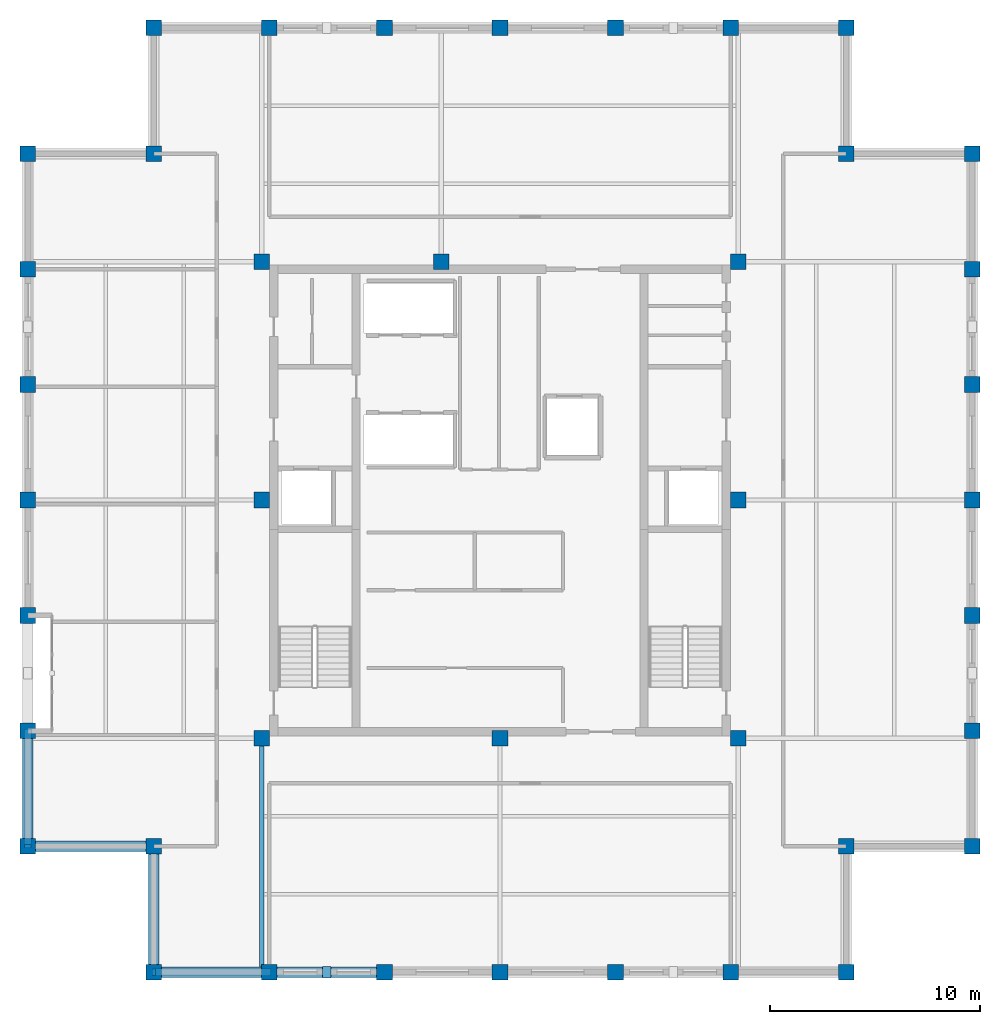
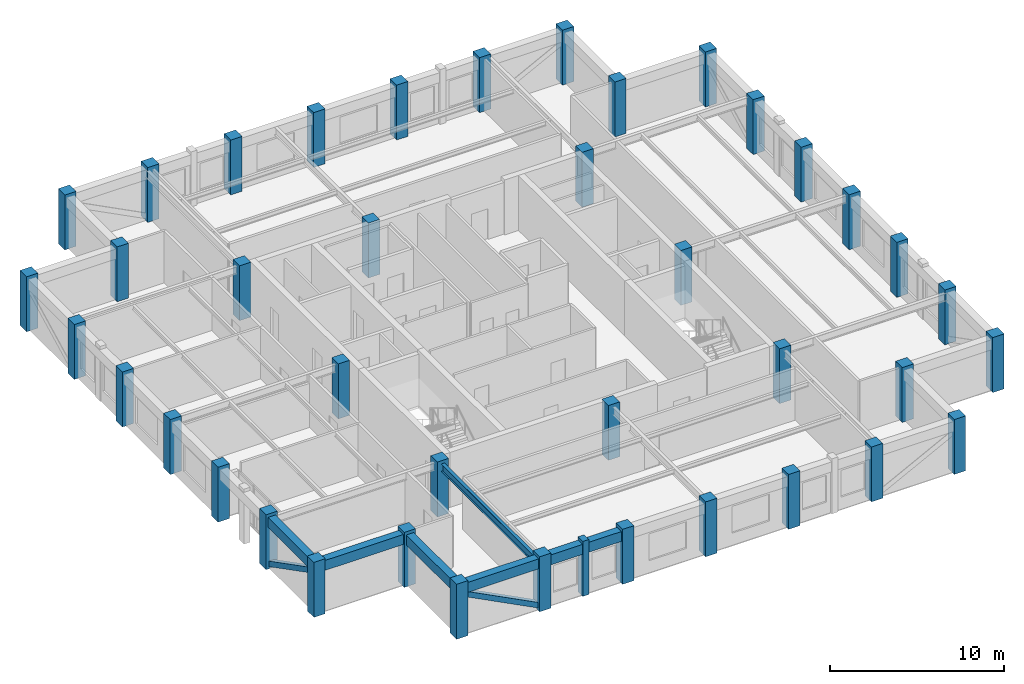
# One storey, part 1 of 10: 40 columns, 6 beams, 3 members.
"""IFC4 building model written with IfcOpenShell, lengths in metres."""

import ifcopenshell
import ifcopenshell.guid

model = None  # the IFC model being written
_history = None  # IfcOwnerHistory: only IFC2X3 demands one
_inside = {}  # id of a spatial element -> (the spatial element, [elements in it])
_under = {}  # id of a project, library or spatial element -> (it, [spatial elements below it])
_declared = {}  # id of a project -> (the project, [libraries it declares])
_typed = {}  # id of a type object -> (the type object, [elements of that type])
_made_of = {}  # id of a material, layer set ... -> (it, [elements and type objects made of it])


def new_model(schema):
    """Start an empty IFC model of exactly this schema.

    Asked for "IFC4X3", IfcOpenShell would pick the latest addendum, in which some entities
    have other attributes; the version numbers below select the first issue.
    IFC2X3 requires an IfcOwnerHistory on every rooted entity: one is made here for all.
    """
    global model, _history
    if schema == "IFC4X3":
        model = ifcopenshell.file(schema_version=(4, 3, 0, 0))
    else:
        model = ifcopenshell.file(schema=schema)
    _inside.clear()
    _under.clear()
    _declared.clear()
    _typed.clear()
    _made_of.clear()
    _history = None
    if model.schema == "IFC2X3":
        org = make("IfcOrganization", Name="unknown")
        user = make(
            "IfcPersonAndOrganization",
            ThePerson=make("IfcPerson", FamilyName="unknown"),
            TheOrganization=org,
        )
        app = make(
            "IfcApplication",
            ApplicationDeveloper=org,
            Version="unknown",
            ApplicationFullName="unknown",
            ApplicationIdentifier="unknown",
        )
        _history = make(
            "IfcOwnerHistory",
            OwningUser=user,
            OwningApplication=app,
            ChangeAction="ADDED",
            CreationDate=0,
        )
    return model


def make(cls, **values):
    """One entity of the class cls with the attributes given. An attribute that is None is left unset."""
    return model.create_entity(
        cls, **{name: value for name, value in values.items() if value is not None}
    )


def rooted(cls, **values):
    """An entity with a GlobalId (a new one), such as an element, a storey or a relation."""
    return make(cls, GlobalId=ifcopenshell.guid.new(), OwnerHistory=_history, **values)


def si_unit(unit_type, name, prefix=None):
    """IfcSIUnit, for example si_unit("LENGTHUNIT", "METRE", prefix="MILLI")."""
    return make("IfcSIUnit", UnitType=unit_type, Prefix=prefix, Name=name)


def assignment(units):
    """IfcUnitAssignment: the units of a project."""
    return None if units is None else make("IfcUnitAssignment", Units=units)


def point(xyz):
    """IfcCartesianPoint."""
    return None if xyz is None else make("IfcCartesianPoint", Coordinates=xyz)


def direction(xyz):
    """IfcDirection."""
    return None if xyz is None else make("IfcDirection", DirectionRatios=xyz)


def frame(location, z_axis=None, x_axis=None):
    """IfcAxis2Placement3D, a coordinate frame: its origin and axes. An axis left out is left unset."""
    return make(
        "IfcAxis2Placement3D",
        Location=point(location),
        Axis=direction(z_axis),
        RefDirection=direction(x_axis),
    )


def frame_2d(location, x_axis=None):
    """IfcAxis2Placement2D, a coordinate frame in the plane: its origin and x axis."""
    return make(
        "IfcAxis2Placement2D", Location=point(location), RefDirection=direction(x_axis)
    )


def origin():
    """The frame at (0, 0, 0) with its axes left unset."""
    return frame((0.0, 0.0, 0.0))


def origin_2d():
    """The frame at (0, 0) in the plane with its x axis left unset."""
    return frame_2d((0.0, 0.0))


def place(relative_to, where):
    """IfcLocalPlacement: puts the frame where relative to a parent placement (None: the world)."""
    return make(
        "IfcLocalPlacement", PlacementRelTo=relative_to, RelativePlacement=where
    )


def context(
    kind, dimensions, precision=None, world=None, true_north=None, identifier=None
):
    """IfcGeometricRepresentationContext, for example the 3D "Model" context."""
    return make(
        "IfcGeometricRepresentationContext",
        ContextIdentifier=identifier,
        ContextType=kind,
        CoordinateSpaceDimension=dimensions,
        Precision=precision,
        WorldCoordinateSystem=world,
        TrueNorth=true_north,
    )


def subcontext(parent, identifier, kind, view, scale=None):
    """IfcGeometricRepresentationSubContext, for example "Body" below "Model"."""
    return make(
        "IfcGeometricRepresentationSubContext",
        ContextIdentifier=identifier,
        ContextType=kind,
        ParentContext=parent,
        TargetScale=scale,
        TargetView=view,
    )


def project(units=None, contexts=None):
    """IfcProject with its units and contexts."""
    return rooted(
        "IfcProject",
        Name="project",
        RepresentationContexts=contexts,
        UnitsInContext=assignment(units),
    )


def spatial(cls, under=None, at=None, **own):
    """A site, building, storey or space (cls), placed at a placement, below another one or the project."""
    s = rooted(cls, ObjectPlacement=at, **own)
    if under is not None:
        _under.setdefault(under.id(), (under, []))[1].append(s)
    return s


def profile(cls, at=None, kind="AREA", **sizes):
    """A parametric profile (cls). Its sizes go by their IFC names, for example OverallWidth=200.0."""
    return make(cls, ProfileType=kind, Position=at, **sizes)


def rectangle(**sizes):
    """IfcRectangleProfileDef."""
    return profile("IfcRectangleProfileDef", **sizes)


def hollow_rectangle(**sizes):
    """IfcRectangleHollowProfileDef."""
    return profile("IfcRectangleHollowProfileDef", **sizes)


def i_section(**sizes):
    """IfcIShapeProfileDef."""
    return profile("IfcIShapeProfileDef", **sizes)


def extrude(swept, where, along, depth):
    """IfcExtrudedAreaSolid: the profile swept, set in the frame where, extruded along a direction by depth."""
    return make(
        "IfcExtrudedAreaSolid",
        SweptArea=swept,
        Position=where,
        ExtrudedDirection=direction(along),
        Depth=depth,
    )


def shape(context_of_items, identifier, shape_type, items):
    """IfcShapeRepresentation: the items that make up one representation, for example the "Body"."""
    return make(
        "IfcShapeRepresentation",
        ContextOfItems=context_of_items,
        RepresentationIdentifier=identifier,
        RepresentationType=shape_type,
        Items=items,
    )


def material(Name=None, Category=None):
    """IfcMaterial."""
    return make("IfcMaterial", Name=Name, Category=Category)


def material_profile(
    of_material, cross_section, Name=None, Category=None, Priority=None
):
    """IfcMaterialProfile: a cross section and its material."""
    return make(
        "IfcMaterialProfile",
        Name=Name,
        Material=of_material,
        Profile=cross_section,
        Priority=Priority,
        Category=Category,
    )


def profile_set(profiles, Name=None, composite=None):
    """IfcMaterialProfileSet."""
    return make(
        "IfcMaterialProfileSet",
        Name=Name,
        MaterialProfiles=profiles,
        CompositeProfile=composite,
    )


def made_of(thing, what):
    """Note that an element or type object is made of a material, layer set ...; save() writes the relation."""
    if what is not None:
        _made_of.setdefault(what.id(), (what, []))[1].append(thing)
    return thing


def type_object(cls, material=None, **own):
    """A type object (cls), such as IfcWallType, which elements share."""
    return made_of(rooted(cls, **own), material)


def element(
    cls,
    number,
    at=None,
    inside=None,
    cuts=None,
    type_object=None,
    material=None,
    context=None,
    identifier="Body",
    shape_type=None,
    held_by="IfcProductDefinitionShape",
    body=None,
    shapes=None,
    **own,
):
    """One element of the class cls, such as IfcWall. Its Tag is "e" and its number.

    at: its placement. inside: the storey or other place that contains it. cuts: it is an
    opening in that element (IfcRelVoidsElement). A single representation is given by context,
    identifier, shape_type and body (its items); several are given by shapes. held_by: the class
    of the entity that holds the representations. save() writes the other relations.
    """
    e = rooted(cls, Tag="e%d" % number, ObjectPlacement=at, **own)
    if body is not None:
        shapes = [shape(context, identifier, shape_type, body)]
    if shapes is not None:
        e.Representation = make(held_by, Representations=shapes)
    if inside is not None:
        _inside.setdefault(inside.id(), (inside, []))[1].append(e)
    if cuts is not None:
        rooted(
            "IfcRelVoidsElement", RelatingBuildingElement=cuts, RelatedOpeningElement=e
        )
    if type_object is not None:
        _typed.setdefault(type_object.id(), (type_object, []))[1].append(e)
    return made_of(e, material)


def aggregate(whole, parts):
    """IfcRelAggregates: a whole, such as a stair, and the parts it consists of."""
    return rooted("IfcRelAggregates", RelatingObject=whole, RelatedObjects=parts)


def save(model, path):
    """Write the relations noted so far, then the file.

    IfcRelAggregates (storeys below a building ...), IfcRelContainedInSpatialStructure (elements
    in a storey), IfcRelDefinesByType, IfcRelAssociatesMaterial and IfcRelDeclares: one each for
    every whole, place, type object, material and project.
    """
    for whole, parts in _under.values():
        aggregate(whole, parts)
    for where, things in _inside.values():
        rooted(
            "IfcRelContainedInSpatialStructure",
            RelatedElements=things,
            RelatingStructure=where,
        )
    for kind, things in _typed.values():
        rooted("IfcRelDefinesByType", RelatedObjects=things, RelatingType=kind)
    for what, things in _made_of.values():
        rooted("IfcRelAssociatesMaterial", RelatedObjects=things, RelatingMaterial=what)
    for by, libraries in _declared.values():
        rooted("IfcRelDeclares", RelatingContext=by, RelatedDefinitions=libraries)
    model.write(path)


model = new_model("IFC4")

# Units and contexts
model_context = context("Model", 3, precision=1e-05, world=origin(), true_north=direction((0.0, 1.0)))
body_context = subcontext(model_context, "Body", "Model", "MODEL_VIEW")
ifc_project = project(units=[si_unit("LENGTHUNIT", "METRE"), si_unit("AREAUNIT", "SQUARE_METRE"), si_unit("VOLUMEUNIT", "CUBIC_METRE"), si_unit("PLANEANGLEUNIT", "RADIAN"), si_unit("MASSUNIT", "GRAM", prefix="KILO")], contexts=[model_context])

# Site, building, storey
site_placement = place(None, origin())
site = spatial("IfcSite", under=ifc_project, at=site_placement, CompositionType="ELEMENT")
building_placement = place(site_placement, origin())
building = spatial("IfcBuilding", under=site, at=building_placement, Name="Nhamokura Convention Tower", CompositionType="ELEMENT")
storey_placement = place(building_placement, frame((0.0, 0.0, 304.5)))
storey = spatial("IfcBuildingStorey", under=building, at=storey_placement, Name="L75", CompositionType="ELEMENT", Elevation=304.5)

# Columns
ifc_material_1 = material(Name="Concrete C50/60", Category="concrete")
ifc_material_profile_1 = material_profile(ifc_material_1, rectangle(XDim=0.75, YDim=0.75, at=origin_2d()))
ifc_profile_set_1 = profile_set([ifc_material_profile_1], Name="Concrete C50/60")
column_type = type_object("IfcColumnType", Name="TubeColumn_Z4_750", PredefinedType="COLUMN", material=ifc_profile_set_1)
for number, where, z_axis, x_axis, name in (
    (1, (20.64990234375, 20.64990234375, 0.0), (0.0, 0.0, 1.0), (1.0, 0.0, 0.0), "L75 Core Column CC-SW"),
    (2, (32.0, 20.64990234375, 0.0), (0.0, 0.0, 1.0), (1.0, 0.0, 0.0), "L75 Core Column CC-S"),
    (3, (43.35009765625, 20.64990234375, 0.0), (0.0, 0.0, 1.0), (1.0, 0.0, 0.0), "L75 Core Column CC-SE"),
    (4, (43.35009765625, 32.0, 0.0), (0.0, 0.0, 1.0), (1.0, 0.0, 0.0), "L75 Core Column CC-E"),
    (5, (43.35009765625, 43.35009765625, 0.0), (0.0, 0.0, 1.0), (1.0, 0.0, 0.0), "L75 Core Column CC-NE"),
    (6, (29.199951171875, 43.35009765625, 0.0), (0.0, 0.0, 1.0), (1.0, 0.0, 0.0), "L75 Core Column CC-N"),
    (7, (20.64990234375, 43.35009765625, 0.0), (0.0, 0.0, 1.0), (1.0, 0.0, 0.0), "L75 Core Column CC-NW"),
    (8, (20.64990234375, 32.0, 0.0), (0.0, 0.0, 1.0), (1.0, 0.0, 0.0), "L75 Core Column CC-W"),
    (9, (15.5, 9.5, 0.0), (0.0, 0.0, 1.0), (1.0, 0.0, 0.0), "L75 Perimeter Tube Column SW1"),
    (10, (15.5, 15.5, 0.0), (0.0, 0.0, 1.0), (1.0, 0.0, 0.0), "L75 Perimeter Tube Column SW0"),
    (11, (9.5, 15.5, 0.0), (0.0, 0.0, 1.0), (1.0, 0.0, 0.0), "L75 Perimeter Tube Column SW2"),
    (12, (48.5, 9.5, 0.0), (0.0, 0.0, 1.0), (1.0, 0.0, 0.0), "L75 Perimeter Tube Column SE1"),
    (13, (48.5, 15.5, 0.0), (0.0, 0.0, 1.0), (1.0, 0.0, 0.0), "L75 Perimeter Tube Column SE0"),
    (14, (54.5, 15.5, 0.0), (0.0, 0.0, 1.0), (1.0, 0.0, 0.0), "L75 Perimeter Tube Column SE2"),
    (15, (54.5, 48.5, 0.0), (0.0, 0.0, 1.0), (1.0, 0.0, 0.0), "L75 Perimeter Tube Column NE1"),
    (16, (48.5, 48.5, 0.0), (0.0, 0.0, 1.0), (1.0, 0.0, 0.0), "L75 Perimeter Tube Column NE0"),
    (17, (48.5, 54.5, 0.0), (0.0, 0.0, 1.0), (1.0, 0.0, 0.0), "L75 Perimeter Tube Column NE2"),
    (18, (15.5, 54.5, 0.0), (0.0, 0.0, 1.0), (1.0, 0.0, 0.0), "L75 Perimeter Tube Column NW1"),
    (19, (15.5, 48.5, 0.0), (0.0, 0.0, 1.0), (1.0, 0.0, 0.0), "L75 Perimeter Tube Column NW0"),
    (20, (9.5, 48.5, 0.0), (0.0, 0.0, 1.0), (1.0, 0.0, 0.0), "L75 Perimeter Tube Column NW2"),
    (21, (21.0, 9.5, 0.0), (0.0, 0.0, 1.0), (1.0, 0.0, 0.0), "L75 Perimeter Tube Column S1"),
    (22, (21.0, 54.5, 0.0), (0.0, 0.0, 1.0), (1.0, 0.0, 0.0), "L75 Perimeter Tube Column N1"),
    (23, (9.5, 21.0, 0.0), (0.0, 0.0, 1.0), (1.0, 0.0, 0.0), "L75 Perimeter Tube Column W1"),
    (24, (54.5, 21.0, 0.0), (0.0, 0.0, 1.0), (1.0, 0.0, 0.0), "L75 Perimeter Tube Column E1"),
    (25, (26.5, 9.5, 0.0), (0.0, 0.0, 1.0), (1.0, 0.0, 0.0), "L75 Perimeter Tube Column S2"),
    (26, (26.5, 54.5, 0.0), (0.0, 0.0, 1.0), (1.0, 0.0, 0.0), "L75 Perimeter Tube Column N2"),
    (27, (9.5, 26.5, 0.0), (0.0, 0.0, 1.0), (1.0, 0.0, 0.0), "L75 Perimeter Tube Column W2"),
    (28, (54.5, 26.5, 0.0), (0.0, 0.0, 1.0), (1.0, 0.0, 0.0), "L75 Perimeter Tube Column E2"),
    (29, (32.0, 9.5, 0.0), (0.0, 0.0, 1.0), (1.0, 0.0, 0.0), "L75 Perimeter Tube Column S3"),
    (30, (32.0, 54.5, 0.0), (0.0, 0.0, 1.0), (1.0, 0.0, 0.0), "L75 Perimeter Tube Column N3"),
    (31, (9.5, 32.0, 0.0), (0.0, 0.0, 1.0), (1.0, 0.0, 0.0), "L75 Perimeter Tube Column W3"),
    (32, (54.5, 32.0, 0.0), (0.0, 0.0, 1.0), (1.0, 0.0, 0.0), "L75 Perimeter Tube Column E3"),
    (33, (37.5, 9.5, 0.0), (0.0, 0.0, 1.0), (1.0, 0.0, 0.0), "L75 Perimeter Tube Column S4"),
    (34, (37.5, 54.5, 0.0), (0.0, 0.0, 1.0), (1.0, 0.0, 0.0), "L75 Perimeter Tube Column N4"),
    (35, (9.5, 37.5, 0.0), (0.0, 0.0, 1.0), (1.0, 0.0, 0.0), "L75 Perimeter Tube Column W4"),
    (36, (54.5, 37.5, 0.0), (0.0, 0.0, 1.0), (1.0, 0.0, 0.0), "L75 Perimeter Tube Column E4"),
    (37, (43.0, 9.5, 0.0), (0.0, 0.0, 1.0), (1.0, 0.0, 0.0), "L75 Perimeter Tube Column S5"),
    (38, (43.0, 54.5, 0.0), (0.0, 0.0, 1.0), (1.0, 0.0, 0.0), "L75 Perimeter Tube Column N5"),
    (39, (9.5, 43.0, 0.0), (0.0, 0.0, 1.0), (1.0, 0.0, 0.0), "L75 Perimeter Tube Column W5"),
    (40, (54.5, 43.0, 0.0), (0.0, 0.0, 1.0), (1.0, 0.0, 0.0), "L75 Perimeter Tube Column E5"),
):
    element("IfcColumn", number, at=place(storey_placement, frame(where, z_axis=z_axis, x_axis=x_axis)), inside=storey, type_object=column_type, Name=name, PredefinedType="COLUMN", context=body_context, shape_type="SweptSolid", body=[
        extrude(rectangle(XDim=0.75, YDim=0.75, at=origin_2d()), origin(), (0.0, 0.0, 1.0), 3.85009765625),
    ])

# Member
ifc_material_2 = material(Name="Bronze-pigmented precast concrete C45/55", Category="concrete")
ifc_material_profile_2 = material_profile(ifc_material_2, rectangle(XDim=0.39990234375, YDim=0.550048828125, at=origin_2d()))
ifc_profile_set_2 = profile_set([ifc_material_profile_2], Name="Bronze-pigmented precast concrete C45/55")
member_type_1 = type_object("IfcMemberType", Name="BronzePilaster_550", PredefinedType="USERDEFINED", material=ifc_profile_set_2)
member_placement = place(storey_placement, frame((23.75, 9.5, 0.0), z_axis=(0.0, 0.0, 1.0), x_axis=(1.0, 0.0, 0.0)))
element("IfcMember", 41, at=member_placement, inside=storey, type_object=member_type_1, Name="L75 Engaged Frame Pilaster SOUTH 1", ObjectType="PILASTER_TRIM", PredefinedType="USERDEFINED", context=body_context, shape_type="SweptSolid", body=[
    extrude(rectangle(XDim=0.39990234375, YDim=0.550048828125, at=origin_2d()), origin(), (0.0, 0.0, 1.0), 3.85009765625),
])

# Beam
ifc_material_3 = material(Name="Steel ASTM A992 Gr 50", Category="steel")
ifc_material_profile_3 = material_profile(ifc_material_3, i_section(OverallWidth=0.208984375, OverallDepth=0.532958984375, WebThickness=0.01025390625, FlangeThickness=0.015625, at=origin_2d()))
ifc_profile_set_3 = profile_set([ifc_material_profile_3], Name="Steel ASTM A992 Gr 50")
beam_type_1 = type_object("IfcBeamType", Name="PrimaryGirder_W530X92", PredefinedType="BEAM", material=ifc_profile_set_3)
beam_placement = place(storey_placement, frame((20.64990234375, 9.5, 3.363525390625), z_axis=(0.0, 1.0, 0.0), x_axis=(-1.0, 0.0, 0.0)))
element("IfcBeam", 42, at=beam_placement, inside=storey, type_object=beam_type_1, Name="L75 Primary Floor Girder PG-S1", PredefinedType="BEAM", context=body_context, shape_type="SweptSolid", body=[
    extrude(i_section(OverallWidth=0.208984375, OverallDepth=0.532958984375, WebThickness=0.01025390625, FlangeThickness=0.015625, at=origin_2d()), origin(), (0.0, 0.0, 1.0), 11.14990234375),
])

# Members
ifc_material_4 = material(Name="Steel ASTM A572 Gr 50", Category="steel")
ifc_material_profile_4 = material_profile(ifc_material_4, hollow_rectangle(XDim=0.35009765625, YDim=0.35009765625, WallThickness=0.01611328125, at=origin_2d()))
ifc_profile_set_4 = profile_set([ifc_material_profile_4], Name="Steel ASTM A572 Gr 50")
member_type_2 = type_object("IfcMemberType", Name="TubeBrace_HSS350", PredefinedType="BRACE", material=ifc_profile_set_4)
for number, where, z_axis, x_axis, name in (
    (43, (21.0, 9.5, 0.14990234375), (-0.889188710546, 0.0, 0.457540639766), (0.0, -1.0, 0.0), "L75 Perimeter Tube Brace SOUTH Bay 0"),
    (44, (9.5, 21.0, 0.14990234375), (0.0, -0.889188710546, 0.457540639766), (1.0, 0.0, 0.0), "L75 Perimeter Tube Brace WEST Bay 0"),
):
    element("IfcMember", number, at=place(storey_placement, frame(where, z_axis=z_axis, x_axis=x_axis)), inside=storey, type_object=member_type_2, Name=name, PredefinedType="BRACE", context=body_context, shape_type="SweptSolid", body=[
        extrude(hollow_rectangle(XDim=0.35009765625, YDim=0.35009765625, WallThickness=0.01611328125, at=origin_2d()), origin(), (0.0, 0.0, 1.0), 6.185302734375),
    ])

# Beams
ifc_material_5 = material(Name="Concrete C50/60", Category="concrete")
ifc_material_profile_5 = material_profile(ifc_material_5, rectangle(XDim=0.5, YDim=0.699951171875, at=origin_2d()))
ifc_profile_set_5 = profile_set([ifc_material_profile_5], Name="Concrete C50/60")
beam_type_2 = type_object("IfcBeamType", Name="TubeSpandrel_700", PredefinedType="SPANDREL", material=ifc_profile_set_5)
for number, where, z_axis, x_axis, name in (
    (45, (15.5, 9.5, 3.280029296875), (1.0, 0.0, 0.0), (0.0, 1.0, 0.0), "L75 Perimeter Spandrel SOUTH 1"),
    (46, (21.0, 9.5, 3.280029296875), (1.0, 0.0, 0.0), (0.0, 1.0, 0.0), "L75 Perimeter Spandrel SOUTH 2"),
    (47, (9.5, 15.5, 3.280029296875), (0.0, 1.0, 0.0), (-1.0, 0.0, 0.0), "L75 Perimeter Spandrel WEST 1"),
):
    element("IfcBeam", number, at=place(storey_placement, frame(where, z_axis=z_axis, x_axis=x_axis)), inside=storey, type_object=beam_type_2, Name=name, PredefinedType="SPANDREL", context=body_context, shape_type="SweptSolid", body=[
        extrude(rectangle(XDim=0.5, YDim=0.699951171875, at=origin_2d()), origin(), (0.0, 0.0, 1.0), 5.5),
    ])
for number, where, z_axis, x_axis, name in (
    (48, (15.5, 9.5, 3.280029296875), (0.0, 1.0, 0.0), (-1.0, 0.0, 0.0), "L75 Notch Spandrel SW1"),
    (49, (15.5, 15.5, 3.280029296875), (-1.0, 0.0, 0.0), (0.0, -1.0, 0.0), "L75 Notch Spandrel SW2"),
):
    element("IfcBeam", number, at=place(storey_placement, frame(where, z_axis=z_axis, x_axis=x_axis)), inside=storey, type_object=beam_type_2, Name=name, PredefinedType="SPANDREL", context=body_context, shape_type="SweptSolid", body=[
        extrude(rectangle(XDim=0.5, YDim=0.699951171875, at=origin_2d()), origin(), (0.0, 0.0, 1.0), 6.0),
    ])

save(model, "model.ifc")
